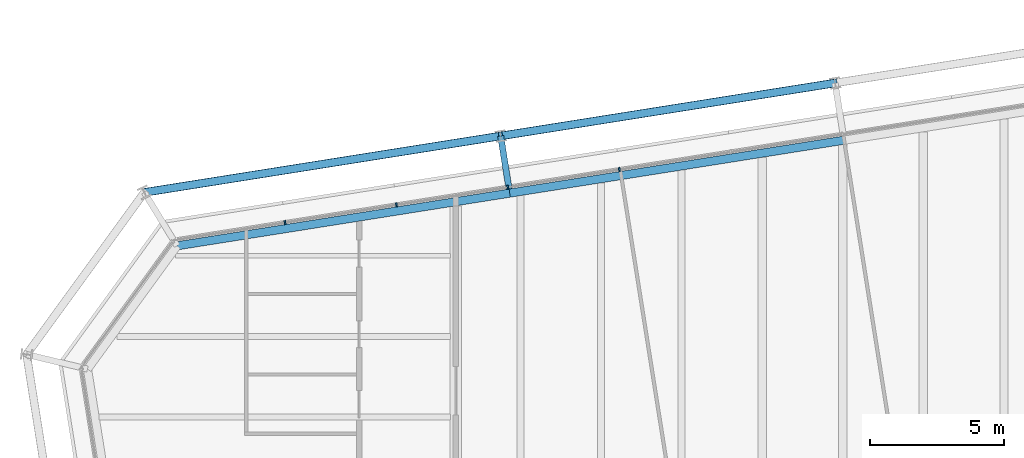
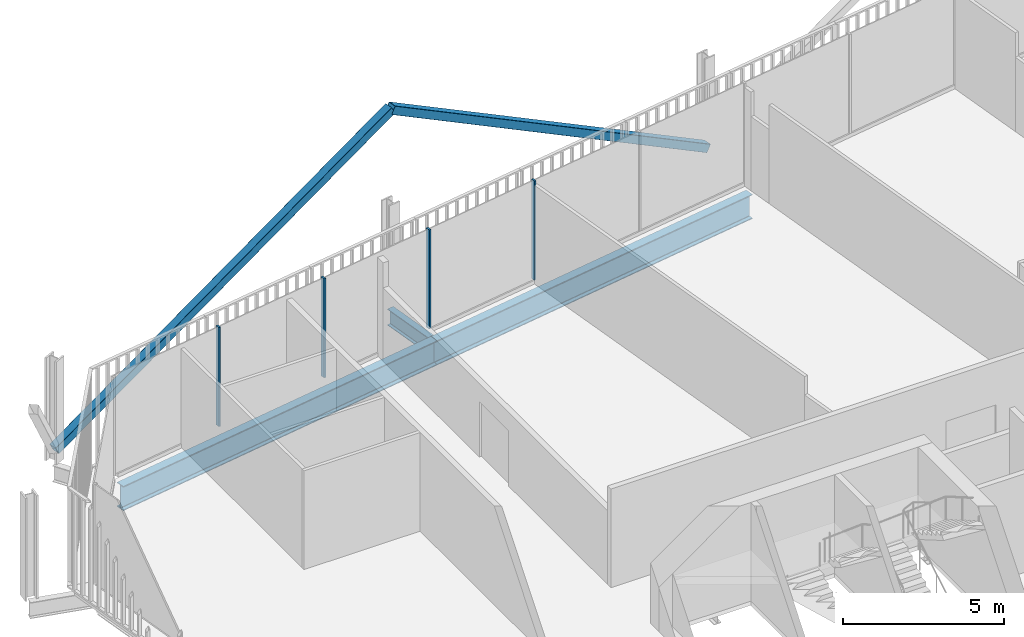
# One storey, part 13 of 21: 6 members, 3 beams, 1 element without a shape of its own.
"""IFC4 building model written with IfcOpenShell, lengths in metres."""

from ifc_helpers import new_model, si_unit, direction, frame, origin, origin_2d, place, context, subcontext, project, spatial, rectangle, hollow_rectangle, i_section, extrude, material, layer, layer_set, material_profile, profile_set, type_object, element, aggregate, save


model = new_model("IFC4")

# Units and contexts
model_context = context("Model", 3, precision=1e-05, world=origin(), true_north=direction((0.0, 1.0)))
body_context = subcontext(model_context, "Body", "Model", "MODEL_VIEW")
ifc_project = project(units=[si_unit("LENGTHUNIT", "METRE"), si_unit("AREAUNIT", "SQUARE_METRE"), si_unit("VOLUMEUNIT", "CUBIC_METRE"), si_unit("PLANEANGLEUNIT", "RADIAN"), si_unit("MASSUNIT", "GRAM", prefix="KILO")], contexts=[model_context])

# Site, building, storey
site_placement = place(None, origin())
site = spatial("IfcSite", under=ifc_project, at=site_placement, CompositionType="ELEMENT")
building_placement = place(site_placement, origin())
building = spatial("IfcBuilding", under=site, at=building_placement, Name="Millrace Tower", CompositionType="ELEMENT")
storey_placement = place(building_placement, frame((0.0, 0.0, 255.199951171875)))
storey = spatial("IfcBuildingStorey", under=building, at=storey_placement, Name="L58", CompositionType="ELEMENT", Elevation=255.199951171875)

# Curtain wall, members
ifc_material_1 = material(Name="Aluminium and glass", Category="aluminium")
ifc_layer = layer(ifc_material_1, 0.14990234375)
ifc_layer_set = layer_set([ifc_layer], Name="Aluminium and glass")
curtain_wall_type = type_object("IfcCurtainWallType", Name="CW-1 office vision curtain wall", PredefinedType="NOTDEFINED", material=ifc_layer_set)
curtain_wall_placement = place(storey_placement, origin())
curtain_wall = element("IfcCurtainWall", 1, at=curtain_wall_placement, inside=storey, type_object=curtain_wall_type, Name="Curtain wall D-F06 L58", PredefinedType="NOTDEFINED")
ifc_material_2 = material(Name="Aluminium", Category="aluminium")
ifc_material_profile_1 = material_profile(ifc_material_2, rectangle(XDim=0.06494140625, YDim=0.14990234375, at=origin_2d()))
ifc_profile_set_1 = profile_set([ifc_material_profile_1], Name="Aluminium")
member_type_1 = type_object("IfcMemberType", Name="CW-1 office vision curtain wall mullion", PredefinedType="MULLION", material=ifc_profile_set_1)
member_1_placement = place(storey_placement, frame((-8.31591796875, 27.207275390625, 0.14013671875), z_axis=(0.0, 0.0, 1.0), x_axis=(-0.987688339511, -0.156434471884, 0.0)))
member_1 = element("IfcMember", 2, at=member_1_placement, type_object=member_type_1, Name="CW1 mullion D-F06.6", PredefinedType="MULLION", context=body_context, shape_type="SweptSolid", body=[
    extrude(rectangle(XDim=0.06494140625, YDim=0.14990234375, at=origin_2d()), origin(), (0.0, 0.0, 1.0), 3.760009765625),
])
member_2_placement = place(storey_placement, frame((-12.46435546875, 26.55029296875, 0.14013671875), z_axis=(0.0, 0.0, 1.0), x_axis=(-0.987688339511, -0.156434471884, 0.0)))
member_2 = element("IfcMember", 3, at=member_2_placement, type_object=member_type_1, Name="CW1 mullion D-F06.7", PredefinedType="MULLION", context=body_context, shape_type="SweptSolid", body=[
    extrude(rectangle(XDim=0.06494140625, YDim=0.14990234375, at=origin_2d()), origin(), (0.0, 0.0, 1.0), 3.760009765625),
])
member_3_placement = place(storey_placement, frame((-16.612548828125, 25.893310546875, 0.14013671875), z_axis=(0.0, 0.0, 1.0), x_axis=(-0.987688339511, -0.156434471884, 0.0)))
member_3 = element("IfcMember", 4, at=member_3_placement, type_object=member_type_1, Name="CW1 mullion D-F06.8", PredefinedType="MULLION", context=body_context, shape_type="SweptSolid", body=[
    extrude(rectangle(XDim=0.06494140625, YDim=0.14990234375, at=origin_2d()), origin(), (0.0, 0.0, 1.0), 3.760009765625),
])
member_4_placement = place(storey_placement, frame((-20.7607421875, 25.236328125, 0.14013671875), z_axis=(0.0, 0.0, 1.0), x_axis=(-0.987688339511, -0.156434471884, 0.0)))
member_4 = element("IfcMember", 5, at=member_4_placement, type_object=member_type_1, Name="CW1 mullion D-F06.9", PredefinedType="MULLION", context=body_context, shape_type="SweptSolid", body=[
    extrude(rectangle(XDim=0.06494140625, YDim=0.14990234375, at=origin_2d()), origin(), (0.0, 0.0, 1.0), 3.760009765625),
])
aggregate(curtain_wall, [member_1, member_2, member_3, member_4])

# Members
ifc_material_3 = material(Name="Steel ASTM A500 Grade C", Category="steel")
ifc_material_profile_2 = material_profile(ifc_material_3, hollow_rectangle(XDim=0.3046875, YDim=0.3046875, WallThickness=0.009521484375, InnerFilletRadius=0.004638671875, OuterFilletRadius=0.014404296875, at=origin_2d()))
ifc_profile_set_2 = profile_set([ifc_material_profile_2], Name="Steel ASTM A500 Grade C")
member_type_2 = type_object("IfcMemberType", Name="Exoskeleton brace HSS12x12x3/8", PredefinedType="BRACE", material=ifc_profile_set_2)
member_5_placement = place(storey_placement, frame((-0.288330078125, 30.427734375, 0.400146484375), z_axis=(-0.86339943803, -0.136738080691, 0.485637835943), x_axis=(0.156422238477, -0.987690277015, 0.0)))
element("IfcMember", 6, at=member_5_placement, inside=storey, type_object=member_type_2, Name="BRC-D-L58-11", PredefinedType="BRACE", context=body_context, shape_type="SweptSolid", body=[
    extrude(hollow_rectangle(XDim=0.3046875, YDim=0.3046875, WallThickness=0.009521484375, InnerFilletRadius=0.004638671875, OuterFilletRadius=0.014404296875, at=origin_2d()), origin(), (0.0, 0.0, 1.0), 14.4140625),
])
member_6_placement = place(storey_placement, frame((-25.996337890625, 26.35595703125, 0.400146484375), z_axis=(0.875829804371, 0.138730151249, 0.462251121048), x_axis=(-0.156448038127, 0.987686190734, 0.0)))
element("IfcMember", 7, at=member_6_placement, inside=storey, type_object=member_type_2, Name="BRC-D-L58-12", PredefinedType="BRACE", context=body_context, shape_type="SweptSolid", body=[
    extrude(hollow_rectangle(XDim=0.3046875, YDim=0.3046875, WallThickness=0.009521484375, InnerFilletRadius=0.004638671875, OuterFilletRadius=0.014404296875, at=origin_2d()), origin(), (0.0, 0.0, 1.0), 15.143310546875),
])

# Beams
ifc_material_4 = material(Name="Steel ASTM A992 Grade 50", Category="steel")
ifc_material_profile_3 = material_profile(ifc_material_4, i_section(OverallWidth=0.23046875, OverallDepth=0.6171875, WebThickness=0.01318359375, FlangeThickness=0.022216796875, FilletRadius=0.012939453125, at=origin_2d()))
ifc_profile_set_3 = profile_set([ifc_material_profile_3], Name="Steel ASTM A992 Grade 50")
beam_type_1 = type_object("IfcBeamType", Name="Link beam W24x94", PredefinedType="BEAM", material=ifc_profile_set_3)
beam_1_placement = place(storey_placement, frame((-12.42041015625, 26.481201171875, -0.468505859375), z_axis=(-0.156476509441, 0.987681680499, 0.0), x_axis=(-0.987681680499, -0.156476509441, 0.0)))
element("IfcBeam", 8, at=beam_1_placement, inside=storey, type_object=beam_type_1, Name="LNK-D-L58-S1-06", PredefinedType="BEAM", context=body_context, shape_type="SweptSolid", body=[
    extrude(i_section(OverallWidth=0.23046875, OverallDepth=0.6171875, WebThickness=0.01318359375, FlangeThickness=0.022216796875, FilletRadius=0.012939453125, at=origin_2d()), origin(), (0.0, 0.0, 1.0), 2.000244140625),
])
ifc_material_5 = material(Name="Steel ASTM A992 Grade 50", Category="steel")
ifc_material_profile_4 = material_profile(ifc_material_5, i_section(OverallWidth=0.307373046875, OverallDepth=0.927001953125, WebThickness=0.01953125, FlangeThickness=0.031982421875, FilletRadius=0.01904296875, at=origin_2d()))
ifc_profile_set_4 = profile_set([ifc_material_profile_4], Name="Steel ASTM A992 Grade 50")
beam_type_2 = type_object("IfcBeamType", Name="Ring beam medium span W36x194", PredefinedType="SPANDREL", material=ifc_profile_set_4)
beam_2_placement = place(storey_placement, frame((-24.7783203125, 24.368408203125, -0.62353515625), z_axis=(0.987687213011, 0.156441584157, 0.0), x_axis=(-0.156441584157, 0.987687213011, 0.0)))
element("IfcBeam", 9, at=beam_2_placement, inside=storey, type_object=beam_type_2, Name="RNG-D-L58-S1-05", PredefinedType="SPANDREL", context=body_context, shape_type="SweptSolid", body=[
    extrude(i_section(OverallWidth=0.307373046875, OverallDepth=0.927001953125, WebThickness=0.01953125, FlangeThickness=0.031982421875, FilletRadius=0.01904296875, at=origin_2d()), origin(), (0.0, 0.0, 1.0), 12.5361328125),
])
beam_3_placement = place(storey_placement, frame((-12.396484375, 26.32958984375, -0.62353515625), z_axis=(0.987690277015, 0.156422238477, 0.0), x_axis=(-0.156422238477, 0.987690277015, 0.0)))
element("IfcBeam", 10, at=beam_3_placement, inside=storey, type_object=beam_type_2, Name="RNG-D-L58-S1-06", PredefinedType="SPANDREL", context=body_context, shape_type="SweptSolid", body=[
    extrude(i_section(OverallWidth=0.307373046875, OverallDepth=0.927001953125, WebThickness=0.01953125, FlangeThickness=0.031982421875, FilletRadius=0.01904296875, at=origin_2d()), origin(), (0.0, 0.0, 1.0), 12.60009765625),
])

save(model, "model.ifc")
